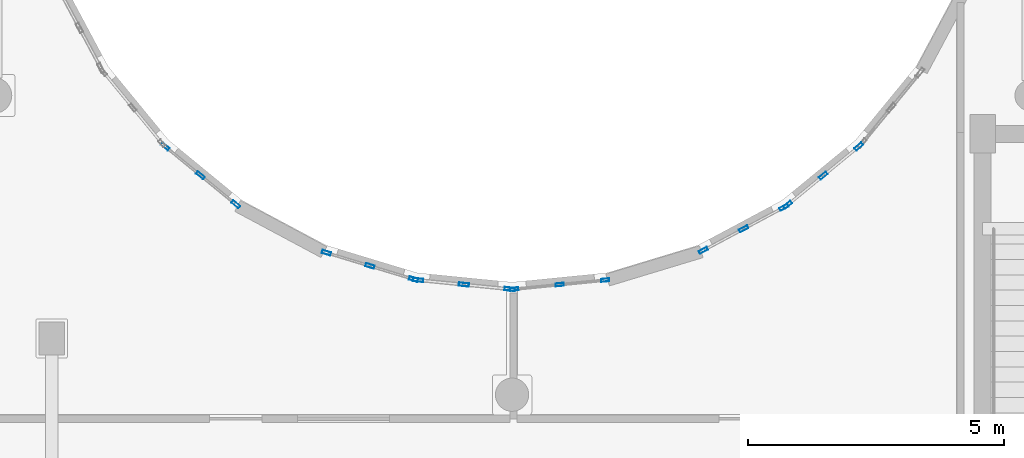
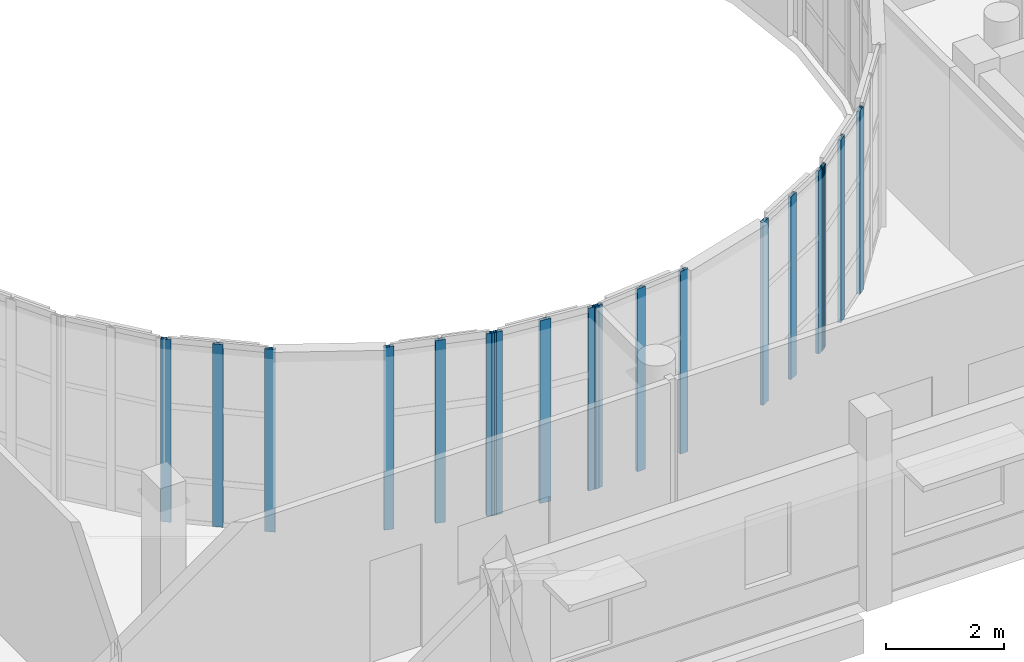
# One storey, part 27 of 92: 18 members, 6 elements without a shape of their own.
"""IFC4 building model written with IfcOpenShell, lengths in metres."""

from ifc_helpers import new_model, si_unit, direction, frame, origin, origin_2d, place, context, subcontext, project, spatial, hollow_rectangle, extrude, material, layer, layer_set, material_profile, profile_set, type_object, element, aggregate, save


model = new_model("IFC4")

# Units and contexts
model_context = context("Model", 3, precision=1e-05, world=origin(), true_north=direction((0.0, 1.0)))
body_context = subcontext(model_context, "Body", "Model", "MODEL_VIEW")
ifc_project = project(units=[si_unit("LENGTHUNIT", "METRE"), si_unit("AREAUNIT", "SQUARE_METRE"), si_unit("VOLUMEUNIT", "CUBIC_METRE"), si_unit("PLANEANGLEUNIT", "RADIAN"), si_unit("MASSUNIT", "GRAM", prefix="KILO")], contexts=[model_context])

# Site, building, storey
site_placement = place(None, origin())
site = spatial("IfcSite", under=ifc_project, at=site_placement, CompositionType="ELEMENT")
building_placement = place(site_placement, origin())
building = spatial("IfcBuilding", under=site, at=building_placement, Name="Kelanivale Promenade Academy", CompositionType="ELEMENT")
storey_placement = place(building_placement, frame((0.0, 0.0, 8.199951171875)))
storey = spatial("IfcBuildingStorey", under=building, at=storey_placement, Name="L02", CompositionType="ELEMENT", Elevation=8.199951171875)

# Curtain wall, members
ifc_material_1 = material(Name="Bronze anodised aluminium and solar-control low-E glass", Category="aluminium")
ifc_layer_1 = layer(ifc_material_1, 0.169921875)
ifc_layer_set_1 = layer_set([ifc_layer_1], Name="Bronze anodised aluminium and solar-control low-E glass")
curtain_wall_type_1 = type_object("IfcCurtainWallType", Name="CW-01 Curtain Wall 1350mm Module", PredefinedType="USERDEFINED", material=ifc_layer_set_1)
curtain_wall_1_placement = place(storey_placement, origin())
curtain_wall_1 = element("IfcCurtainWall", 1, at=curtain_wall_1_placement, inside=storey, type_object=curtain_wall_type_1, Name="L02 courtyard curtain wall CW-01", ObjectType="UNITISED GLAZING", PredefinedType="USERDEFINED")
ifc_material_2 = material(Name="Bronze anodised aluminium EN AW-6063 T6", Category="aluminium")
ifc_material_profile_1 = material_profile(ifc_material_2, hollow_rectangle(XDim=0.06005859375, YDim=0.159912109375, WallThickness=0.00390625, at=origin_2d()), Name="ALU 60x160x4.0")
ifc_profile_set_1 = profile_set([ifc_material_profile_1], Name="Bronze anodised aluminium EN AW-6063 T6")
member_type_1 = type_object("IfcMemberType", Name="CWM-01 ALU 60x160x4.0", PredefinedType="MULLION", material=ifc_profile_set_1)
member_1_placement = place(storey_placement, frame((98.84375, 47.1640625, 0.0), z_axis=(0.0, 0.0, 1.0), x_axis=(-0.098538762159, 0.99513321337, 0.0)))
member_1 = element("IfcMember", 2, at=member_1_placement, type_object=member_type_1, Name="CW-01 mullion 1", PredefinedType="MULLION", context=body_context, shape_type="SweptSolid", body=[
    extrude(hollow_rectangle(XDim=0.06005859375, YDim=0.159912109375, WallThickness=0.00390625, at=origin_2d()), origin(), (0.0, 0.0, 1.0), 3.780029296875),
])
member_2_placement = place(storey_placement, frame((99.73291015625, 47.251953125, 0.0), z_axis=(0.0, 0.0, 1.0), x_axis=(-0.098538762159, 0.99513321337, 0.0)))
member_2 = element("IfcMember", 3, at=member_2_placement, type_object=member_type_1, Name="CW-01 mullion 2", PredefinedType="MULLION", context=body_context, shape_type="SweptSolid", body=[
    extrude(hollow_rectangle(XDim=0.06005859375, YDim=0.159912109375, WallThickness=0.00390625, at=origin_2d()), origin(), (0.0, 0.0, 1.0), 3.780029296875),
])
member_3_placement = place(storey_placement, frame((100.6220703125, 47.340087890625, 0.0), z_axis=(0.0, 0.0, 1.0), x_axis=(-0.098538762159, 0.99513321337, 0.0)))
member_3 = element("IfcMember", 4, at=member_3_placement, type_object=member_type_1, Name="CW-01 mullion 3", PredefinedType="MULLION", context=body_context, shape_type="SweptSolid", body=[
    extrude(hollow_rectangle(XDim=0.06005859375, YDim=0.159912109375, WallThickness=0.00390625, at=origin_2d()), origin(), (0.0, 0.0, 1.0), 3.780029296875),
])
aggregate(curtain_wall_1, [member_1, member_2, member_3])

ifc_layer_2 = layer(ifc_material_1, 0.169921875)
ifc_layer_set_2 = layer_set([ifc_layer_2], Name="Bronze anodised aluminium and solar-control low-E glass")
curtain_wall_type_2 = type_object("IfcCurtainWallType", Name="CW-22 Curtain Wall 1800mm Module", PredefinedType="USERDEFINED", material=ifc_layer_set_2)
curtain_wall_2_placement = place(storey_placement, origin())
curtain_wall_2 = element("IfcCurtainWall", 5, at=curtain_wall_2_placement, inside=storey, type_object=curtain_wall_type_2, Name="L02 courtyard curtain wall CW-22", ObjectType="COURTYARD SCREEN GLAZING", PredefinedType="USERDEFINED")
ifc_material_profile_2 = material_profile(ifc_material_2, hollow_rectangle(XDim=0.06005859375, YDim=0.179931640625, WallThickness=0.00390625, at=origin_2d()), Name="ALU 60x180x4.0")
ifc_profile_set_2 = profile_set([ifc_material_profile_2], Name="Bronze anodised aluminium EN AW-6063 T6")
member_type_2 = type_object("IfcMemberType", Name="CWM-02 ALU 60x180x4.0", PredefinedType="MULLION", material=ifc_profile_set_2)
member_4_placement = place(storey_placement, frame((92.01611328125, 49.955078125, 0.0), z_axis=(0.0, 0.0, 1.0), x_axis=(0.634092539482, 0.773257170269, 0.0)))
member_4 = element("IfcMember", 6, at=member_4_placement, type_object=member_type_2, Name="CW-22 mullion 1", PredefinedType="MULLION", context=body_context, shape_type="SweptSolid", body=[
    extrude(hollow_rectangle(XDim=0.06005859375, YDim=0.179931640625, WallThickness=0.00390625, at=origin_2d()), origin(), (0.0, 0.0, 1.0), 3.780029296875),
])
member_5_placement = place(storey_placement, frame((92.70703125, 49.388427734375, 0.0), z_axis=(0.0, 0.0, 1.0), x_axis=(0.634092539482, 0.773257170269, 0.0)))
member_5 = element("IfcMember", 7, at=member_5_placement, type_object=member_type_2, Name="CW-22 mullion 2", PredefinedType="MULLION", context=body_context, shape_type="SweptSolid", body=[
    extrude(hollow_rectangle(XDim=0.06005859375, YDim=0.179931640625, WallThickness=0.00390625, at=origin_2d()), origin(), (0.0, 0.0, 1.0), 3.780029296875),
])
member_6_placement = place(storey_placement, frame((93.397705078125, 48.822021484375, 0.0), z_axis=(0.0, 0.0, 1.0), x_axis=(0.634092539482, 0.773257170269, 0.0)))
member_6 = element("IfcMember", 8, at=member_6_placement, type_object=member_type_2, Name="CW-22 mullion 3", PredefinedType="MULLION", context=body_context, shape_type="SweptSolid", body=[
    extrude(hollow_rectangle(XDim=0.06005859375, YDim=0.179931640625, WallThickness=0.00390625, at=origin_2d()), origin(), (0.0, 0.0, 1.0), 3.780029296875),
])
aggregate(curtain_wall_2, [member_4, member_5, member_6])

ifc_layer_3 = layer(ifc_material_1, 0.179931640625)
ifc_layer_set_3 = layer_set([ifc_layer_3], Name="Bronze anodised aluminium and solar-control low-E glass")
curtain_wall_type_3 = type_object("IfcCurtainWallType", Name="CW-02 Curtain Wall 1500mm Module", PredefinedType="USERDEFINED", material=ifc_layer_set_3)
curtain_wall_3_placement = place(storey_placement, origin())
curtain_wall_3 = element("IfcCurtainWall", 9, at=curtain_wall_3_placement, inside=storey, type_object=curtain_wall_type_3, Name="L02 courtyard curtain wall CW-02", ObjectType="UNITISED GLAZING", PredefinedType="USERDEFINED")
member_7_placement = place(storey_placement, frame((102.54052734375, 47.921142578125, 0.0), z_axis=(0.0, 0.0, 1.0), x_axis=(-0.471290193914, 0.881978204448, 0.0)))
member_7 = element("IfcMember", 10, at=member_7_placement, type_object=member_type_2, Name="CW-02 mullion 1", PredefinedType="MULLION", context=body_context, shape_type="SweptSolid", body=[
    extrude(hollow_rectangle(XDim=0.06005859375, YDim=0.179931640625, WallThickness=0.00390625, at=origin_2d()), origin(), (0.0, 0.0, 1.0), 3.780029296875),
])
member_8_placement = place(storey_placement, frame((103.3291015625, 48.342529296875, 0.0), z_axis=(0.0, 0.0, 1.0), x_axis=(-0.471290193914, 0.881978204448, 0.0)))
member_8 = element("IfcMember", 11, at=member_8_placement, type_object=member_type_2, Name="CW-02 mullion 2", PredefinedType="MULLION", context=body_context, shape_type="SweptSolid", body=[
    extrude(hollow_rectangle(XDim=0.06005859375, YDim=0.179931640625, WallThickness=0.00390625, at=origin_2d()), origin(), (0.0, 0.0, 1.0), 3.780029296875),
])
member_9_placement = place(storey_placement, frame((104.117431640625, 48.763916015625, 0.0), z_axis=(0.0, 0.0, 1.0), x_axis=(-0.471290193914, 0.881978204448, 0.0)))
member_9 = element("IfcMember", 12, at=member_9_placement, type_object=member_type_2, Name="CW-02 mullion 3", PredefinedType="MULLION", context=body_context, shape_type="SweptSolid", body=[
    extrude(hollow_rectangle(XDim=0.06005859375, YDim=0.179931640625, WallThickness=0.00390625, at=origin_2d()), origin(), (0.0, 0.0, 1.0), 3.780029296875),
])
aggregate(curtain_wall_3, [member_7, member_8, member_9])

ifc_layer_4 = layer(ifc_material_1, 0.179931640625)
ifc_layer_set_4 = layer_set([ifc_layer_4], Name="Bronze anodised aluminium and solar-control low-E glass")
curtain_wall_type_4 = type_object("IfcCurtainWallType", Name="CW-23 Curtain Wall 1950mm Module", PredefinedType="USERDEFINED", material=ifc_layer_set_4)
curtain_wall_4_placement = place(storey_placement, origin())
curtain_wall_4 = element("IfcCurtainWall", 13, at=curtain_wall_4_placement, inside=storey, type_object=curtain_wall_type_4, Name="L02 courtyard curtain wall CW-23", ObjectType="COURTYARD SCREEN GLAZING", PredefinedType="USERDEFINED")
ifc_material_profile_3 = material_profile(ifc_material_2, hollow_rectangle(XDim=0.06494140625, YDim=0.175048828125, WallThickness=0.00390625, at=origin_2d()), Name="ALU 65x175x4.0")
ifc_profile_set_3 = profile_set([ifc_material_profile_3], Name="Bronze anodised aluminium EN AW-6063 T6")
member_type_3 = type_object("IfcMemberType", Name="CWM-03 ALU 65x175x4.0", PredefinedType="MULLION", material=ifc_profile_set_3)
member_10_placement = place(storey_placement, frame((95.169189453125, 47.87548828125, 0.0), z_axis=(0.0, 0.0, 1.0), x_axis=(0.290127576893, 0.956987977524, 0.0)))
member_10 = element("IfcMember", 14, at=member_10_placement, type_object=member_type_3, Name="CW-23 mullion 1", PredefinedType="MULLION", context=body_context, shape_type="SweptSolid", body=[
    extrude(hollow_rectangle(XDim=0.06494140625, YDim=0.175048828125, WallThickness=0.00390625, at=origin_2d()), origin(), (0.0, 0.0, 1.0), 3.780029296875),
])
member_11_placement = place(storey_placement, frame((96.02197265625, 47.616943359375, 0.0), z_axis=(0.0, 0.0, 1.0), x_axis=(0.290127576893, 0.956987977524, 0.0)))
member_11 = element("IfcMember", 15, at=member_11_placement, type_object=member_type_3, Name="CW-23 mullion 2", PredefinedType="MULLION", context=body_context, shape_type="SweptSolid", body=[
    extrude(hollow_rectangle(XDim=0.06494140625, YDim=0.175048828125, WallThickness=0.00390625, at=origin_2d()), origin(), (0.0, 0.0, 1.0), 3.780029296875),
])
member_12_placement = place(storey_placement, frame((96.875, 47.3583984375, 0.0), z_axis=(0.0, 0.0, 1.0), x_axis=(0.290127576893, 0.956987977524, 0.0)))
member_12 = element("IfcMember", 16, at=member_12_placement, type_object=member_type_3, Name="CW-23 mullion 3", PredefinedType="MULLION", context=body_context, shape_type="SweptSolid", body=[
    extrude(hollow_rectangle(XDim=0.06494140625, YDim=0.175048828125, WallThickness=0.00390625, at=origin_2d()), origin(), (0.0, 0.0, 1.0), 3.780029296875),
])
aggregate(curtain_wall_4, [member_10, member_11, member_12])

ifc_layer_5 = layer(ifc_material_1, 0.159912109375)
ifc_layer_set_5 = layer_set([ifc_layer_5], Name="Bronze anodised aluminium and solar-control low-E glass")
curtain_wall_type_5 = type_object("IfcCurtainWallType", Name="CW-03 Curtain Wall 1650mm Module", PredefinedType="USERDEFINED", material=ifc_layer_set_5)
curtain_wall_5_placement = place(storey_placement, origin())
curtain_wall_5 = element("IfcCurtainWall", 17, at=curtain_wall_5_placement, inside=storey, type_object=curtain_wall_type_5, Name="L02 courtyard curtain wall CW-03", ObjectType="UNITISED GLAZING", PredefinedType="USERDEFINED")
member_13_placement = place(storey_placement, frame((104.192138671875, 48.813720703125, 0.0), z_axis=(0.0, 0.0, 1.0), x_axis=(-0.634143799719, 0.773215132597, 0.0)))
member_13 = element("IfcMember", 18, at=member_13_placement, type_object=member_type_3, Name="CW-03 mullion 1", PredefinedType="MULLION", context=body_context, shape_type="SweptSolid", body=[
    extrude(hollow_rectangle(XDim=0.06494140625, YDim=0.175048828125, WallThickness=0.00390625, at=origin_2d()), origin(), (0.0, 0.0, 1.0), 3.780029296875),
])
member_14_placement = place(storey_placement, frame((104.886962890625, 49.383544921875, 0.0), z_axis=(0.0, 0.0, 1.0), x_axis=(-0.634143799719, 0.773215132597, 0.0)))
member_14 = element("IfcMember", 19, at=member_14_placement, type_object=member_type_3, Name="CW-03 mullion 2", PredefinedType="MULLION", context=body_context, shape_type="SweptSolid", body=[
    extrude(hollow_rectangle(XDim=0.06494140625, YDim=0.175048828125, WallThickness=0.00390625, at=origin_2d()), origin(), (0.0, 0.0, 1.0), 3.780029296875),
])
member_15_placement = place(storey_placement, frame((105.581787109375, 49.953369140625, 0.0), z_axis=(0.0, 0.0, 1.0), x_axis=(-0.634143799719, 0.773215132597, 0.0)))
member_15 = element("IfcMember", 20, at=member_15_placement, type_object=member_type_3, Name="CW-03 mullion 3", PredefinedType="MULLION", context=body_context, shape_type="SweptSolid", body=[
    extrude(hollow_rectangle(XDim=0.06494140625, YDim=0.175048828125, WallThickness=0.00390625, at=origin_2d()), origin(), (0.0, 0.0, 1.0), 3.780029296875),
])
aggregate(curtain_wall_5, [member_13, member_14, member_15])

ifc_layer_6 = layer(ifc_material_1, 0.159912109375)
ifc_layer_set_6 = layer_set([ifc_layer_6], Name="Bronze anodised aluminium and solar-control low-E glass")
curtain_wall_type_6 = type_object("IfcCurtainWallType", Name="CW-24 Curtain Wall 1200mm Module", PredefinedType="USERDEFINED", material=ifc_layer_set_6)
curtain_wall_6_placement = place(storey_placement, origin())
curtain_wall_6 = element("IfcCurtainWall", 21, at=curtain_wall_6_placement, inside=storey, type_object=curtain_wall_type_6, Name="L02 courtyard curtain wall CW-24", ObjectType="COURTYARD SCREEN GLAZING", PredefinedType="USERDEFINED")
ifc_material_profile_4 = material_profile(ifc_material_2, hollow_rectangle(XDim=0.06494140625, YDim=0.199951171875, WallThickness=0.00439453125, at=origin_2d()), Name="ALU 65x200x4.5")
ifc_profile_set_4 = profile_set([ifc_material_profile_4], Name="Bronze anodised aluminium EN AW-6063 T6")
member_type_4 = type_object("IfcMemberType", Name="CWM-04 ALU 65x200x4.5", PredefinedType="MULLION", material=ifc_profile_set_4)
member_16_placement = place(storey_placement, frame((96.96533203125, 47.3408203125, 0.0), z_axis=(0.0, 0.0, 1.0), x_axis=(0.098280652454, 0.995158737767, 0.0)))
member_16 = element("IfcMember", 22, at=member_16_placement, type_object=member_type_4, Name="CW-24 mullion 1", PredefinedType="MULLION", context=body_context, shape_type="SweptSolid", body=[
    extrude(hollow_rectangle(XDim=0.06494140625, YDim=0.199951171875, WallThickness=0.00439453125, at=origin_2d()), origin(), (0.0, 0.0, 1.0), 3.780029296875),
])
member_17_placement = place(storey_placement, frame((97.859619140625, 47.25244140625, 0.0), z_axis=(0.0, 0.0, 1.0), x_axis=(0.098280652454, 0.995158737767, 0.0)))
member_17 = element("IfcMember", 23, at=member_17_placement, type_object=member_type_4, Name="CW-24 mullion 2", PredefinedType="MULLION", context=body_context, shape_type="SweptSolid", body=[
    extrude(hollow_rectangle(XDim=0.06494140625, YDim=0.199951171875, WallThickness=0.00439453125, at=origin_2d()), origin(), (0.0, 0.0, 1.0), 3.780029296875),
])
member_18_placement = place(storey_placement, frame((98.753662109375, 47.164306640625, 0.0), z_axis=(0.0, 0.0, 1.0), x_axis=(0.098280652454, 0.995158737767, 0.0)))
member_18 = element("IfcMember", 24, at=member_18_placement, type_object=member_type_4, Name="CW-24 mullion 3", PredefinedType="MULLION", context=body_context, shape_type="SweptSolid", body=[
    extrude(hollow_rectangle(XDim=0.06494140625, YDim=0.199951171875, WallThickness=0.00439453125, at=origin_2d()), origin(), (0.0, 0.0, 1.0), 3.780029296875),
])
aggregate(curtain_wall_6, [member_16, member_17, member_18])

save(model, "model.ifc")
